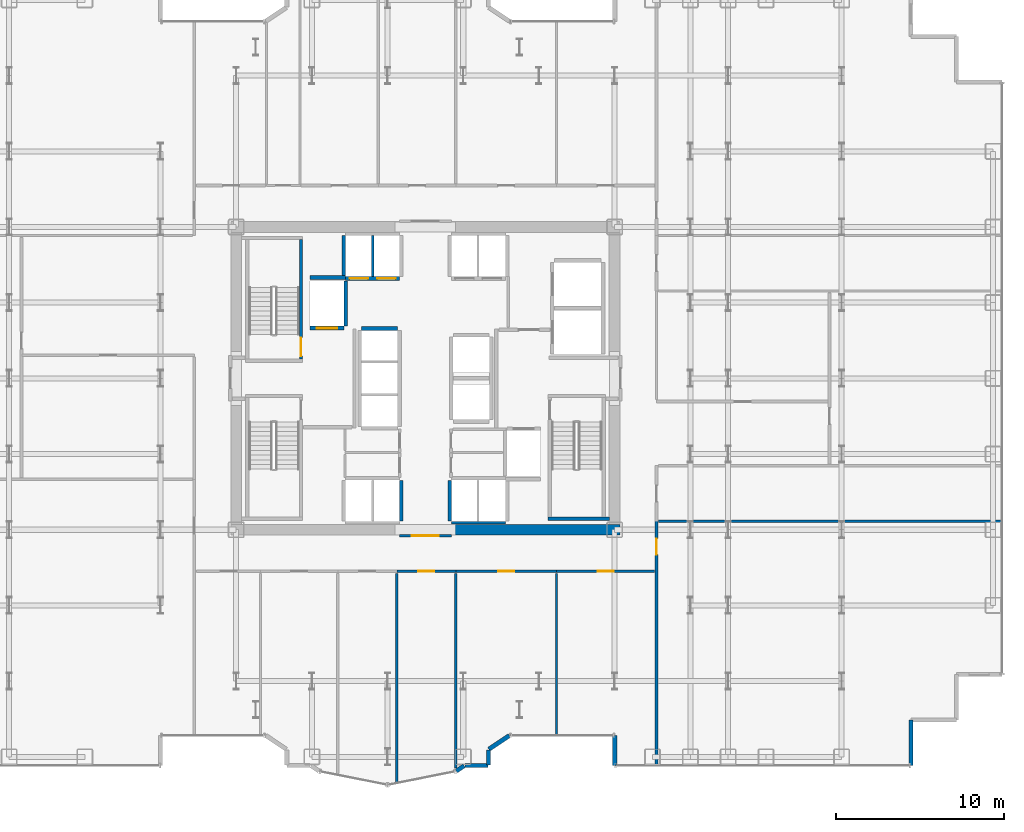
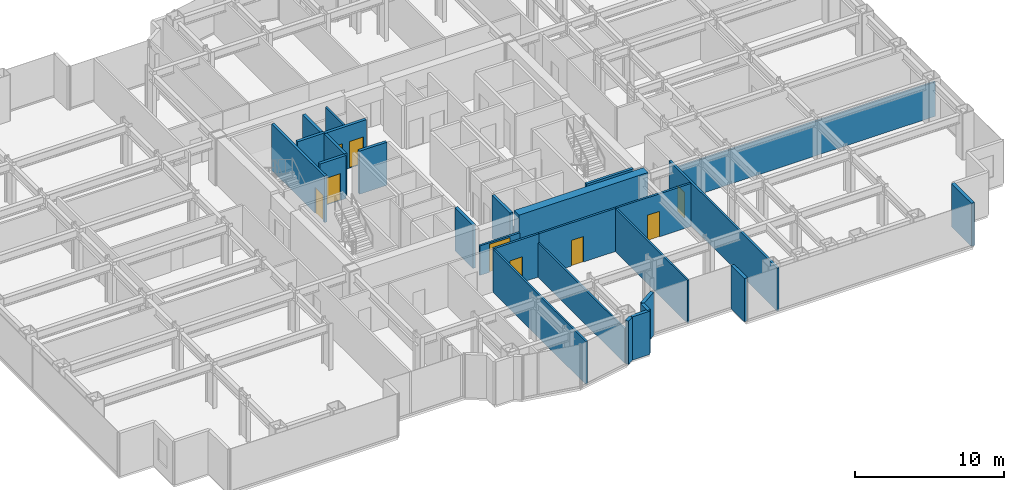
# One storey, part 21 of 26: 28 walls, 9 doors, 9 openings.
"""IFC4 building model written with IfcOpenShell, lengths in metres."""

from ifc_helpers import new_model, si_unit, direction, frame, frame_2d, origin, place, context, subcontext, project, spatial, rectangle, extrude, source, transform, mapped, material, layer, layer_set, type_object, element, fill, save


model = new_model("IFC4")

# Units and contexts
model_context = context("Model", 3, precision=1e-05, world=origin(), true_north=direction((0.0, 1.0)))
body_context = subcontext(model_context, "Body", "Model", "MODEL_VIEW")
ifc_project = project(units=[si_unit("LENGTHUNIT", "METRE"), si_unit("AREAUNIT", "SQUARE_METRE"), si_unit("VOLUMEUNIT", "CUBIC_METRE"), si_unit("PLANEANGLEUNIT", "RADIAN"), si_unit("MASSUNIT", "GRAM", prefix="KILO")], contexts=[model_context])

# Site, building, storey
site_placement = place(None, origin())
site = spatial("IfcSite", under=ifc_project, at=site_placement, CompositionType="ELEMENT")
building_placement = place(site_placement, origin())
building = spatial("IfcBuilding", under=site, at=building_placement, Name="Nefas-Gora Pilgrimage Tower", CompositionType="ELEMENT")
storey_placement = place(building_placement, frame((0.0, 0.0, 59.60009765625)))
storey = spatial("IfcBuildingStorey", under=building, at=storey_placement, Name="L13", CompositionType="ELEMENT", Elevation=59.60009765625)

# Walls
ifc_material_1 = material(Name="Concrete C60/75", Category="concrete")
ifc_layer_1 = layer(ifc_material_1, 0.64990234375)
ifc_layer_set_1 = layer_set([ifc_layer_1], Name="Concrete C60/75")
wall_type_1 = type_object("IfcWallType", Name="SW-CORE-650", PredefinedType="SHEAR", material=ifc_layer_set_1)
shared_shape_1 = source(origin(), body_context, "Body", "SweptSolid", [
    extrude(rectangle(XDim=10.02490234375, YDim=0.64990234375, at=frame_2d((5.012451171875, 0.0))), origin(), (0.0, 0.0, 1.0), 3.7998046875),
])
wall_1_placement = place(storey_placement, frame((1.550048828125, -9.0, 0.0), z_axis=(0.0, 0.0, 1.0), x_axis=(1.0, 0.0, 0.0)))
element("IfcWall", 1, at=wall_1_placement, inside=storey, type_object=wall_type_1, Name="L13 Core Shear Wall S-East", PredefinedType="SHEAR", context=body_context, shape_type="MappedRepresentation", body=[
    mapped(shared_shape_1, transform((0.0, 0.0, 0.0), x_axis=(1.0, 0.0, 0.0), y_axis=(0.0, 1.0, 0.0), z_axis=(0.0, 0.0, 1.0), scale=1.0)),
])
ifc_material_2 = material(Name="Precast concrete C40/50", Category="concrete")
ifc_layer_2 = layer(ifc_material_2, 0.260009765625)
ifc_layer_set_2 = layer_set([ifc_layer_2], Name="Precast concrete C40/50")
wall_type_2 = type_object("IfcWallType", Name="EW-PORTAL-260", PredefinedType="SOLIDWALL", material=ifc_layer_set_2)
shared_shape_2 = source(origin(), body_context, "Body", "SweptSolid", [
    extrude(rectangle(XDim=1.800048828125, YDim=0.260009765625, at=frame_2d((0.89990234375, 0.0))), origin(), (0.0, 0.0, 1.0), 3.5498046875),
])
wall_2_placement = place(storey_placement, frame((11.25, -21.219970703125, 0.0), z_axis=(0.0, 0.0, 1.0), x_axis=(0.0, -1.0, 0.0)))
element("IfcWall", 2, at=wall_2_placement, inside=storey, type_object=wall_type_2, Name="L13 Lobe Shoulder Precast Spandrel Pier 1", PredefinedType="SOLIDWALL", context=body_context, shape_type="MappedRepresentation", body=[
    mapped(shared_shape_2, transform((0.0, 0.0, 0.0), x_axis=(1.0, 0.0, 0.0), y_axis=(0.0, 1.0, 0.0), z_axis=(0.0, 0.0, 1.0), scale=1.0)),
])
ifc_material_3 = material(Name="Precast concrete C45/55", Category="concrete")
ifc_layer_3 = layer(ifc_material_3, 0.239990234375)
ifc_layer_set_3 = layer_set([ifc_layer_3], Name="Precast concrete C45/55")
wall_type_3 = type_object("IfcWallType", Name="EW-SERR-240", PredefinedType="SHEAR", material=ifc_layer_set_3)
shared_shape_3 = source(origin(), body_context, "Body", "SweptSolid", [
    extrude(rectangle(XDim=2.699951171875, YDim=0.239990234375, at=frame_2d((1.35009765625, 0.0))), origin(), (0.0, 0.0, 1.0), 3.5498046875),
])
wall_3_placement = place(storey_placement, frame((28.8701171875, -23.02001953125, 0.0), z_axis=(0.0, 0.0, 1.0), x_axis=(0.0, 1.0, 0.0)))
element("IfcWall", 3, at=wall_3_placement, inside=storey, type_object=wall_type_3, Name="L13 Serrated Corner Shear Pier Wall 2", PredefinedType="SHEAR", context=body_context, shape_type="MappedRepresentation", body=[
    mapped(shared_shape_3, transform((0.0, 0.0, 0.0), x_axis=(1.0, 0.0, 0.0), y_axis=(0.0, 1.0, 0.0), z_axis=(0.0, 0.0, 1.0), scale=1.0)),
])
shared_shape_4 = source(origin(), body_context, "Body", "SweptSolid", [
    extrude(rectangle(XDim=1.468994140625, YDim=0.260009765625, at=frame_2d((0.734375, 0.0))), origin(), (0.0, 0.0, 1.0), 3.5498046875),
])
wall_4_placement = place(storey_placement, frame((3.773193359375, -22.0517578125, 0.0), z_axis=(0.0, 0.0, 1.0), x_axis=(0.831461760506, 0.555581983884, 0.0)))
element("IfcWall", 4, at=wall_4_placement, inside=storey, type_object=wall_type_2, Name="L13 Lobe Shoulder Precast Spandrel Pier 36", PredefinedType="SOLIDWALL", context=body_context, shape_type="MappedRepresentation", body=[
    mapped(shared_shape_4, transform((0.0, 0.0, 0.0), x_axis=(1.0, 0.0, 0.0), y_axis=(0.0, 1.0, 0.0), z_axis=(0.0, 0.0, 1.0), scale=1.0)),
])
shared_shape_5 = source(origin(), body_context, "Body", "SweptSolid", [
    extrude(rectangle(XDim=0.896728515625, YDim=0.260009765625, at=frame_2d((0.4482421875, 0.0))), origin(), (0.0, 0.0, 1.0), 3.5498046875),
])
wall_5_placement = place(storey_placement, frame((3.75, -22.991943359375, 0.0), z_axis=(0.0, 0.0, 1.0), x_axis=(0.0, 1.0, 0.0)))
element("IfcWall", 5, at=wall_5_placement, inside=storey, type_object=wall_type_2, Name="L13 Lobe Shoulder Precast Spandrel Pier 35", PredefinedType="SOLIDWALL", context=body_context, shape_type="MappedRepresentation", body=[
    mapped(shared_shape_5, transform((0.0, 0.0, 0.0), x_axis=(1.0, 0.0, 0.0), y_axis=(0.0, 1.0, 0.0), z_axis=(0.0, 0.0, 1.0), scale=1.0)),
])
shared_shape_6 = source(origin(), body_context, "Body", "SweptSolid", [
    extrude(rectangle(XDim=1.369873046875, YDim=0.260009765625, at=frame_2d((0.68505859375, 0.0))), origin(), (0.0, 0.0, 1.0), 3.5498046875),
])
wall_6_placement = place(storey_placement, frame((2.35205078125, -23.02001953125, 0.0), z_axis=(0.0, 0.0, 1.0), x_axis=(1.0, 0.0, 0.0)))
element("IfcWall", 6, at=wall_6_placement, inside=storey, type_object=wall_type_2, Name="L13 Lobe Shoulder Precast Spandrel Pier 34", PredefinedType="SOLIDWALL", context=body_context, shape_type="MappedRepresentation", body=[
    mapped(shared_shape_6, transform((0.0, 0.0, 0.0), x_axis=(1.0, 0.0, 0.0), y_axis=(0.0, 1.0, 0.0), z_axis=(0.0, 0.0, 1.0), scale=1.0)),
])
shared_shape_7 = source(origin(), body_context, "Body", "SweptSolid", [
    extrude(rectangle(XDim=0.5654296875, YDim=0.260009765625, at=frame_2d((0.28271484375, 0.0))), origin(), (0.0, 0.0, 1.0), 3.5498046875),
])
wall_7_placement = place(storey_placement, frame((1.83056640625, -23.349609375, 0.0), z_axis=(0.0, 0.0, 1.0), x_axis=(0.831651492666, 0.555297933317, 0.0)))
element("IfcWall", 7, at=wall_7_placement, inside=storey, type_object=wall_type_2, Name="L13 Lobe Shoulder Precast Spandrel Pier 33", PredefinedType="SOLIDWALL", context=body_context, shape_type="MappedRepresentation", body=[
    mapped(shared_shape_7, transform((0.0, 0.0, 0.0), x_axis=(1.0, 0.0, 0.0), y_axis=(0.0, 1.0, 0.0), z_axis=(0.0, 0.0, 1.0), scale=1.0)),
])
ifc_material_4 = material(Name="Concrete C45/55", Category="concrete")
ifc_layer_4 = layer(ifc_material_4, 0.199951171875)
ifc_layer_set_4 = layer_set([ifc_layer_4], Name="Concrete C45/55")
wall_type_4 = type_object("IfcWallType", Name="IW-STAIR-200", PredefinedType="SOLIDWALL", material=ifc_layer_set_4)
shared_shape_8 = source(origin(), body_context, "Body", "SweptSolid", [
    extrude(rectangle(XDim=3.6298828125, YDim=0.199951171875, at=frame_2d((1.81494140625, 0.0))), origin(), (0.0, 0.0, 1.0), 3.7998046875),
])
wall_8_placement = place(storey_placement, frame((7.300048828125, -8.35009765625, 0.0), z_axis=(0.0, 0.0, 1.0), x_axis=(1.0, 0.0, 0.0)))
element("IfcWall", 8, at=wall_8_placement, inside=storey, type_object=wall_type_4, Name="L13 Stairwell Shear Wall ST-02-far", PredefinedType="SOLIDWALL", context=body_context, shape_type="MappedRepresentation", body=[
    mapped(shared_shape_8, transform((0.0, 0.0, 0.0), x_axis=(1.0, 0.0, 0.0), y_axis=(0.0, 1.0, 0.0), z_axis=(0.0, 0.0, 1.0), scale=1.0)),
])

# Wall, opening, door
shared_shape_9 = source(origin(), body_context, "Body", "SweptSolid", [
    extrude(rectangle(XDim=7.10009765625, YDim=0.199951171875, at=frame_2d((3.550048828125, 0.0))), origin(), (0.0, 0.0, 1.0), 3.7998046875),
])
wall_9_placement = place(storey_placement, frame((-7.39990234375, 1.14990234375, 0.0), z_axis=(0.0, 0.0, 1.0), x_axis=(0.0, 1.0, 0.0)))
wall_9 = element("IfcWall", 9, at=wall_9_placement, inside=storey, type_object=wall_type_4, Name="L13 Stairwell Shear Wall ST-01-left", PredefinedType="SOLIDWALL", context=body_context, shape_type="MappedRepresentation", body=[
    mapped(shared_shape_9, transform((0.0, 0.0, 0.0), x_axis=(1.0, 0.0, 0.0), y_axis=(0.0, 1.0, 0.0), z_axis=(0.0, 0.0, 1.0), scale=1.0)),
])
opening_1_placement = place(wall_9_placement, frame((0.179931640625, 0.0, 0.0)))
opening_1 = element("IfcOpeningElement", 10, at=opening_1_placement, cuts=wall_9, Name="Opening ID-ST1", PredefinedType="OPENING", context=body_context, shape_type="SweptSolid", body=[
    extrude(rectangle(XDim=1.10009765625, YDim=2.14990234375, at=frame_2d((0.550048828125, 1.074951171875))), frame((0.0, 0.10986328125, 0.0), z_axis=(0.0, -1.0, 0.0), x_axis=(1.0, 0.0, 0.0)), (0.0, 0.0, 1.0), 0.219970703125),
])
ifc_material_5 = material(Name="Painted galvanised steel fire stair door", Category="steel")
door_type_1 = type_object("IfcDoorType", Name="DR-INT-STAIR-1100", OperationType="NOTDEFINED", PredefinedType="DOOR", material=ifc_material_5)
shared_shape_10 = source(origin(), body_context, "Body", "SweptSolid", [
    extrude(rectangle(XDim=1.10009765625, YDim=2.14990234375, at=frame_2d((0.550048828125, 1.074951171875))), frame((0.0, 0.02490234375, 0.0), z_axis=(0.0, -1.0, 0.0), x_axis=(1.0, 0.0, 0.0)), (0.0, 0.0, 1.0), 0.050048828125),
])
door_1_placement = place(opening_1_placement, origin())
door_1 = element("IfcDoor", 11, at=door_1_placement, inside=storey, type_object=door_type_1, Name="L13 Protected Exit Stair Door ST-01", OperationType="SINGLE_SWING_LEFT", OverallHeight=2.14990234375, OverallWidth=1.10009765625, PredefinedType="DOOR", context=body_context, shape_type="MappedRepresentation", body=[
    mapped(shared_shape_10, transform((0.0, 0.0, 0.0), x_axis=(1.0, 0.0, 0.0), y_axis=(0.0, 1.0, 0.0), z_axis=(0.0, 0.0, 1.0), scale=1.0)),
])
fill(opening_1, door_1)

ifc_material_6 = material(Name="Concrete C40/50", Category="concrete")
ifc_layer_5 = layer(ifc_material_6, 0.219970703125)
ifc_layer_set_5 = layer_set([ifc_layer_5], Name="Concrete C40/50")
wall_type_5 = type_object("IfcWallType", Name="IW-SHAFT-220", PredefinedType="SOLIDWALL", material=ifc_layer_set_5)
shared_shape_11 = source(origin(), body_context, "Body", "SweptSolid", [
    extrude(rectangle(XDim=2.0, YDim=0.219970703125, at=frame_2d((1.0, 0.0))), origin(), (0.0, 0.0, 1.0), 3.534912109375),
])
wall_10_placement = place(storey_placement, frame((-6.85009765625, 2.989990234375, 0.0), z_axis=(0.0, 0.0, 1.0), x_axis=(1.0, 0.0, 0.0)))
wall_10 = element("IfcWall", 12, at=wall_10_placement, inside=storey, type_object=wall_type_5, Name="L13 Hoistway Wall FFL-01-S", PredefinedType="SOLIDWALL", context=body_context, shape_type="MappedRepresentation", body=[
    mapped(shared_shape_11, transform((0.0, 0.0, 0.0), x_axis=(1.0, 0.0, 0.0), y_axis=(0.0, 1.0, 0.0), z_axis=(0.0, 0.0, 1.0), scale=1.0)),
])
opening_2_placement = place(wall_10_placement, frame((0.39990234375, 0.0, 0.0)))
opening_2 = element("IfcOpeningElement", 13, at=opening_2_placement, cuts=wall_10, Name="Opening LD-FF", PredefinedType="OPENING", context=body_context, shape_type="SweptSolid", body=[
    extrude(rectangle(XDim=1.199951171875, YDim=2.199951171875, at=frame_2d((0.60009765625, 1.10009765625))), frame((0.0, 0.119873046875, 0.0), z_axis=(0.0, -1.0, 0.0), x_axis=(1.0, 0.0, 0.0)), (0.0, 0.0, 1.0), 0.239990234375),
])
ifc_material_7 = material(Name="Fire-service sliding lift landing door")
door_type_2 = type_object("IfcDoorType", Name="DR-LIFT-FSAE-1200", OperationType="SLIDING_TO_LEFT", PredefinedType="DOOR", material=ifc_material_7)
shared_shape_12 = source(origin(), body_context, "Body", "SweptSolid", [
    extrude(rectangle(XDim=1.199951171875, YDim=2.199951171875, at=frame_2d((0.60009765625, 1.10009765625))), frame((0.0, 0.02490234375, 0.0), z_axis=(0.0, -1.0, 0.0), x_axis=(1.0, 0.0, 0.0)), (0.0, 0.0, 1.0), 0.050048828125),
])
door_2_placement = place(opening_2_placement, origin())
door_2 = element("IfcDoor", 14, at=door_2_placement, inside=storey, type_object=door_type_2, Name="L13 Sliding Lift Landing Door FFL-01", OperationType="SLIDING_TO_LEFT", OverallHeight=2.199951171875, OverallWidth=1.199951171875, PredefinedType="DOOR", context=body_context, shape_type="MappedRepresentation", body=[
    mapped(shared_shape_12, transform((0.0, 0.0, 0.0), x_axis=(1.0, 0.0, 0.0), y_axis=(0.0, 1.0, 0.0), z_axis=(0.0, 0.0, 1.0), scale=1.0)),
])
fill(opening_2, door_2)

# Wall
shared_shape_13 = source(origin(), body_context, "Body", "SweptSolid", [
    extrude(rectangle(XDim=2.679931640625, YDim=0.219970703125, at=frame_2d((1.33984375, 0.0))), origin(), (0.0, 0.0, 1.0), 3.534912109375),
])
wall_11_placement = place(storey_placement, frame((-4.739990234375, 3.110107421875, 0.0), z_axis=(0.0, 0.0, 1.0), x_axis=(0.0, 1.0, 0.0)))
element("IfcWall", 15, at=wall_11_placement, inside=storey, type_object=wall_type_5, Name="L13 Hoistway Wall FFL-01-E", PredefinedType="SOLIDWALL", context=body_context, shape_type="MappedRepresentation", body=[
    mapped(shared_shape_13, transform((0.0, 0.0, 0.0), x_axis=(1.0, 0.0, 0.0), y_axis=(0.0, 1.0, 0.0), z_axis=(0.0, 0.0, 1.0), scale=1.0)),
])

# Wall, openings, doors
shared_shape_14 = source(origin(), body_context, "Body", "SweptSolid", [
    extrude(rectangle(XDim=3.199951171875, YDim=0.219970703125, at=frame_2d((1.60009765625, 0.0))), origin(), (0.0, 0.0, 1.0), 3.534912109375),
])
wall_12_placement = place(storey_placement, frame((-4.75, 5.93994140625, 0.0), z_axis=(0.0, 0.0, 1.0), x_axis=(1.0, 0.0, 0.0)))
wall_12 = element("IfcWall", 16, at=wall_12_placement, inside=storey, type_object=wall_type_5, Name="L13 Hoistway Wall PL1-W-S", PredefinedType="SOLIDWALL", context=body_context, shape_type="MappedRepresentation", body=[
    mapped(shared_shape_14, transform((0.0, 0.0, 0.0), x_axis=(1.0, 0.0, 0.0), y_axis=(0.0, 1.0, 0.0), z_axis=(0.0, 0.0, 1.0), scale=1.0)),
])
opening_3_placement = place(wall_12_placement, frame((0.25, 0.0, 0.0)))
opening_3 = element("IfcOpeningElement", 17, at=opening_3_placement, cuts=wall_12, Name="Opening LD-01", PredefinedType="OPENING", context=body_context, shape_type="SweptSolid", body=[
    extrude(rectangle(XDim=1.10009765625, YDim=2.199951171875, at=frame_2d((0.550048828125, 1.10009765625))), frame((0.0, 0.119873046875, 0.0), z_axis=(0.0, -1.0, 0.0), x_axis=(1.0, 0.0, 0.0)), (0.0, 0.0, 1.0), 0.239990234375),
])
opening_4_placement = place(wall_12_placement, frame((1.875, 0.0, 0.0)))
opening_4 = element("IfcOpeningElement", 18, at=opening_4_placement, cuts=wall_12, Name="Opening LD-01", PredefinedType="OPENING", context=body_context, shape_type="SweptSolid", body=[
    extrude(rectangle(XDim=1.10009765625, YDim=2.199951171875, at=frame_2d((0.550048828125, 1.10009765625))), frame((0.0, 0.119873046875, 0.0), z_axis=(0.0, -1.0, 0.0), x_axis=(1.0, 0.0, 0.0)), (0.0, 0.0, 1.0), 0.239990234375),
])
ifc_material_8 = material(Name="Brushed stainless sliding lift landing door")
door_type_3 = type_object("IfcDoorType", Name="DR-LIFT-PASS-1100", OperationType="DOUBLE_DOOR_SLIDING", PredefinedType="DOOR", material=ifc_material_8)
shared_shape_15 = source(origin(), body_context, "Body", "SweptSolid", [
    extrude(rectangle(XDim=1.10009765625, YDim=2.199951171875, at=frame_2d((0.550048828125, 1.10009765625))), frame((0.0, 0.02490234375, 0.0), z_axis=(0.0, -1.0, 0.0), x_axis=(1.0, 0.0, 0.0)), (0.0, 0.0, 1.0), 0.050048828125),
])
door_3_placement = place(opening_3_placement, origin())
door_3 = element("IfcDoor", 19, at=door_3_placement, inside=storey, type_object=door_type_3, Name="L13 Sliding Lift Landing Door PL1-01", OperationType="DOUBLE_DOOR_SLIDING", OverallHeight=2.199951171875, OverallWidth=1.10009765625, PredefinedType="DOOR", context=body_context, shape_type="MappedRepresentation", body=[
    mapped(shared_shape_15, transform((0.0, 0.0, 0.0), x_axis=(1.0, 0.0, 0.0), y_axis=(0.0, 1.0, 0.0), z_axis=(0.0, 0.0, 1.0), scale=1.0)),
])
fill(opening_3, door_3)
door_4_placement = place(opening_4_placement, origin())
door_4 = element("IfcDoor", 20, at=door_4_placement, inside=storey, type_object=door_type_3, Name="L13 Sliding Lift Landing Door PL1-02", OperationType="DOUBLE_DOOR_SLIDING", OverallHeight=2.199951171875, OverallWidth=1.10009765625, PredefinedType="DOOR", context=body_context, shape_type="MappedRepresentation", body=[
    mapped(shared_shape_15, transform((0.0, 0.0, 0.0), x_axis=(1.0, 0.0, 0.0), y_axis=(0.0, 1.0, 0.0), z_axis=(0.0, 0.0, 1.0), scale=1.0)),
])
fill(opening_4, door_4)

# Walls
shared_shape_16 = source(origin(), body_context, "Body", "SweptSolid", [
    extrude(rectangle(XDim=2.429931640625, YDim=0.219970703125, at=frame_2d((1.21484375, 0.0))), origin(), (0.0, 0.0, 1.0), 3.534912109375),
])
for number, where, z_axis, x_axis, name in (
    (21, (-4.860107421875, 8.489990234375, 0.0), (0.0, 0.0, 1.0), (0.0, -1.0, 0.0), "L13 Hoistway Wall PL1-W-W"),
    (22, (-1.43994140625, -8.489990234375, 0.0), (0.0, 0.0, 1.0), (0.0, 1.0, 0.0), "L13 Hoistway Wall PL2-W-E"),
    (23, (1.43994140625, -6.06005859375, 0.0), (0.0, 0.0, 1.0), (0.0, -1.0, 0.0), "L13 Hoistway Wall PL2-E-W"),
):
    element("IfcWall", number, at=place(storey_placement, frame(where, z_axis=z_axis, x_axis=x_axis)), inside=storey, type_object=wall_type_5, Name=name, PredefinedType="SOLIDWALL", context=body_context, shape_type="MappedRepresentation", body=[
        mapped(shared_shape_16, transform((0.0, 0.0, 0.0), x_axis=(1.0, 0.0, 0.0), y_axis=(0.0, 1.0, 0.0), z_axis=(0.0, 0.0, 1.0), scale=1.0)),
    ])
ifc_material_9 = material(Name="Gypsum twin-stud partition")
ifc_layer_6 = layer(ifc_material_9, 0.139892578125)
ifc_layer_set_6 = layer_set([ifc_layer_6], Name="Gypsum twin-stud partition")
wall_type_6 = type_object("IfcWallType", Name="IW-UNIT-140", PredefinedType="PARTITIONING", material=ifc_layer_set_6)
shared_shape_17 = source(origin(), body_context, "Body", "SweptSolid", [
    extrude(rectangle(XDim=2.429931640625, YDim=0.139892578125, at=frame_2d((1.21484375, 0.0))), origin(), (0.0, 0.0, 1.0), 3.534912109375),
])
wall_13_placement = place(storey_placement, frame((-3.125, 6.06005859375, 0.0), z_axis=(0.0, 0.0, 1.0), x_axis=(0.0, 1.0, 0.0)))
element("IfcWall", 24, at=wall_13_placement, inside=storey, type_object=wall_type_6, Name="L13 Hoistway Wall PL1-W-DIV", PredefinedType="PARTITIONING", context=body_context, shape_type="MappedRepresentation", body=[
    mapped(shared_shape_17, transform((0.0, 0.0, 0.0), x_axis=(1.0, 0.0, 0.0), y_axis=(0.0, 1.0, 0.0), z_axis=(0.0, 0.0, 1.0), scale=1.0)),
])
shared_shape_18 = source(origin(), body_context, "Body", "SweptSolid", [
    extrude(rectangle(XDim=2.130126953125, YDim=0.219970703125, at=frame_2d((1.06494140625, 0.0))), origin(), (0.0, 0.0, 1.0), 3.534912109375),
])
wall_14_placement = place(storey_placement, frame((-1.659912109375, 2.9599609375, 0.0), z_axis=(0.0, 0.0, 1.0), x_axis=(-1.0, 0.0, 0.0)))
element("IfcWall", 25, at=wall_14_placement, inside=storey, type_object=wall_type_5, Name="L13 Hoistway Wall PL3-03-N", PredefinedType="SOLIDWALL", context=body_context, shape_type="MappedRepresentation", body=[
    mapped(shared_shape_18, transform((0.0, 0.0, 0.0), x_axis=(1.0, 0.0, 0.0), y_axis=(0.0, 1.0, 0.0), z_axis=(0.0, 0.0, 1.0), scale=1.0)),
])
ifc_material_10 = material(Name="Gypsum acoustic stud partition")
ifc_layer_7 = layer(ifc_material_10, 0.159912109375)
ifc_layer_set_7 = layer_set([ifc_layer_7], Name="Gypsum acoustic stud partition")
wall_type_7 = type_object("IfcWallType", Name="IW-CORR-160", PredefinedType="PARTITIONING", material=ifc_layer_set_7)
shared_shape_19 = source(origin(), body_context, "Body", "SweptSolid", [
    extrude(rectangle(XDim=3.199951171875, YDim=0.159912109375, at=frame_2d((1.60009765625, 0.0))), origin(), (0.0, 0.0, 1.0), 2.4248046875),
])
wall_15_placement = place(storey_placement, frame((1.550048828125, -8.580078125, 0.0), z_axis=(0.0, 0.0, 1.0), x_axis=(1.0, 0.0, 0.0)))
element("IfcWall", 26, at=wall_15_placement, inside=storey, type_object=wall_type_7, Name="L13 Hoistway Wall PL2-E-S", PredefinedType="PARTITIONING", context=body_context, shape_type="MappedRepresentation", body=[
    mapped(shared_shape_19, transform((0.0, 0.0, 0.0), x_axis=(1.0, 0.0, 0.0), y_axis=(0.0, 1.0, 0.0), z_axis=(0.0, 0.0, 1.0), scale=1.0)),
])
shared_shape_20 = source(origin(), body_context, "Body", "SweptSolid", [
    extrude(rectangle(XDim=2.09521484375, YDim=0.219970703125, at=frame_2d((1.047607421875, 0.0))), origin(), (0.0, 0.0, 1.0), 3.534912109375),
])
wall_16_placement = place(storey_placement, frame((-6.85009765625, 6.0, 0.0), z_axis=(0.0, 0.0, 1.0), x_axis=(1.0, 0.0, 0.0)))
element("IfcWall", 27, at=wall_16_placement, inside=storey, type_object=wall_type_5, Name="L13 Riser Shaft Wall 1", PredefinedType="SOLIDWALL", context=body_context, shape_type="MappedRepresentation", body=[
    mapped(shared_shape_20, transform((0.0, 0.0, 0.0), x_axis=(1.0, 0.0, 0.0), y_axis=(0.0, 1.0, 0.0), z_axis=(0.0, 0.0, 1.0), scale=1.0)),
])

# Wall, opening, door
shared_shape_21 = source(origin(), body_context, "Body", "SweptSolid", [
    extrude(rectangle(XDim=14.544921875, YDim=0.159912109375, at=frame_2d((7.2724609375, 0.0))), origin(), (0.0, 0.0, 1.0), 3.534912109375),
])
wall_17_placement = place(storey_placement, frame((13.739990234375, -23.0400390625, 0.0), z_axis=(0.0, 0.0, 1.0), x_axis=(0.0, 1.0, 0.0)))
wall_17 = element("IfcWall", 28, at=wall_17_placement, inside=storey, type_object=wall_type_7, Name="L13 Pilgrim Fellowship Seminar Room Partition Wall 35", PredefinedType="PARTITIONING", context=body_context, shape_type="MappedRepresentation", body=[
    mapped(shared_shape_21, transform((0.0, 0.0, 0.0), x_axis=(1.0, 0.0, 0.0), y_axis=(0.0, 1.0, 0.0), z_axis=(0.0, 0.0, 1.0), scale=1.0)),
])
opening_5_placement = place(wall_17_placement, frame((12.5625, 0.0, 0.0)))
opening_5 = element("IfcOpeningElement", 29, at=opening_5_placement, cuts=wall_17, Name="Opening ID-GR1", PredefinedType="OPENING", context=body_context, shape_type="SweptSolid", body=[
    extrude(rectangle(XDim=0.949951171875, YDim=2.10009765625, at=frame_2d((0.47509765625, 1.050048828125))), frame((0.0, 0.08984375, 0.0), z_axis=(0.0, -1.0, 0.0), x_axis=(1.0, 0.0, 0.0)), (0.0, 0.0, 1.0), 0.179931640625),
])
ifc_material_11 = material(Name="Solid core oak fire-rated guest entrance door")
door_type_4 = type_object("IfcDoorType", Name="DR-INT-GUEST-950", OperationType="NOTDEFINED", PredefinedType="DOOR", material=ifc_material_11)
shared_shape_22 = source(origin(), body_context, "Body", "SweptSolid", [
    extrude(rectangle(XDim=0.949951171875, YDim=2.10009765625, at=frame_2d((0.47509765625, 1.050048828125))), frame((0.0, 0.02490234375, 0.0), z_axis=(0.0, -1.0, 0.0), x_axis=(1.0, 0.0, 0.0)), (0.0, 0.0, 1.0), 0.050048828125),
])
door_5_placement = place(opening_5_placement, origin())
door_5 = element("IfcDoor", 30, at=door_5_placement, inside=storey, type_object=door_type_4, Name="L13 Pilgrim Fellowship Seminar Room Door 15", OperationType="SINGLE_SWING_LEFT", OverallHeight=2.10009765625, OverallWidth=0.949951171875, PredefinedType="DOOR", context=body_context, shape_type="MappedRepresentation", body=[
    mapped(shared_shape_22, transform((0.0, 0.0, 0.0), x_axis=(1.0, 0.0, 0.0), y_axis=(0.0, 1.0, 0.0), z_axis=(0.0, 0.0, 1.0), scale=1.0)),
])
fill(opening_5, door_5)

# Walls
shared_shape_23 = source(origin(), body_context, "Body", "SweptSolid", [
    extrude(rectangle(XDim=9.64990234375, YDim=0.139892578125, at=frame_2d((4.824951171875, 0.0))), origin(), (0.0, 0.0, 1.0), 3.534912109375),
])
wall_18_placement = place(storey_placement, frame((7.794921875, -21.239990234375, 0.0), z_axis=(0.0, 0.0, 1.0), x_axis=(0.0, 1.0, 0.0)))
element("IfcWall", 31, at=wall_18_placement, inside=storey, type_object=wall_type_6, Name="L13 Pilgrim Contemplative Lounge Partition Wall 63", PredefinedType="PARTITIONING", context=body_context, shape_type="MappedRepresentation", body=[
    mapped(shared_shape_23, transform((0.0, 0.0, 0.0), x_axis=(1.0, 0.0, 0.0), y_axis=(0.0, 1.0, 0.0), z_axis=(0.0, 0.0, 1.0), scale=1.0)),
])
shared_shape_24 = source(origin(), body_context, "Body", "SweptSolid", [
    extrude(rectangle(XDim=20.429931640625, YDim=0.139892578125, at=frame_2d((10.21484375, 0.0))), origin(), (0.0, 0.0, 1.0), 2.824951171875),
])
wall_19_placement = place(storey_placement, frame((13.860107421875, -8.5048828125, 0.0), z_axis=(0.0, 0.0, 1.0), x_axis=(1.0, 0.0, 0.0)))
element("IfcWall", 32, at=wall_19_placement, inside=storey, type_object=wall_type_6, Name="L13 Pilgrim Fellowship Seminar Room Partition Wall 36", PredefinedType="PARTITIONING", context=body_context, shape_type="MappedRepresentation", body=[
    mapped(shared_shape_24, transform((0.0, 0.0, 0.0), x_axis=(1.0, 0.0, 0.0), y_axis=(0.0, 1.0, 0.0), z_axis=(0.0, 0.0, 1.0), scale=1.0)),
])

# Wall, opening, door
shared_shape_25 = source(origin(), body_context, "Body", "SweptSolid", [
    extrude(rectangle(XDim=3.08984375, YDim=0.159912109375, at=frame_2d((1.544921875, 0.0))), origin(), (0.0, 0.0, 1.0), 2.4248046875),
])
wall_20_placement = place(storey_placement, frame((-1.544921875, -9.35009765625, 0.0), z_axis=(0.0, 0.0, 1.0), x_axis=(1.0, 0.0, 0.0)))
wall_20 = element("IfcWall", 33, at=wall_20_placement, inside=storey, type_object=wall_type_7, Name="L13 Central Lift Lobby South Portal Wall 14", PredefinedType="PARTITIONING", context=body_context, shape_type="MappedRepresentation", body=[
    mapped(shared_shape_25, transform((0.0, 0.0, 0.0), x_axis=(1.0, 0.0, 0.0), y_axis=(0.0, 1.0, 0.0), z_axis=(0.0, 0.0, 1.0), scale=1.0)),
])
opening_6_placement = place(wall_20_placement, frame((0.7451171875, 0.0, 0.0)))
opening_6 = element("IfcOpeningElement", 34, at=opening_6_placement, cuts=wall_20, Name="Opening ID-HL1", PredefinedType="OPENING", context=body_context, shape_type="SweptSolid", body=[
    extrude(rectangle(XDim=1.60009765625, YDim=2.300048828125, at=frame_2d((0.800048828125, 1.14990234375))), frame((0.0, 0.08984375, 0.0), z_axis=(0.0, -1.0, 0.0), x_axis=(1.0, 0.0, 0.0)), (0.0, 0.0, 1.0), 0.179931640625),
])
ifc_material_12 = material(Name="Double acoustic timber assembly hall door", Category="wood")
door_type_5 = type_object("IfcDoorType", Name="DR-INT-HALL-1600", OperationType="DOUBLE_DOOR_SINGLE_SWING", PredefinedType="DOOR", material=ifc_material_12)
shared_shape_26 = source(origin(), body_context, "Body", "SweptSolid", [
    extrude(rectangle(XDim=1.60009765625, YDim=2.300048828125, at=frame_2d((0.800048828125, 1.14990234375))), frame((0.0, 0.02490234375, 0.0), z_axis=(0.0, -1.0, 0.0), x_axis=(1.0, 0.0, 0.0)), (0.0, 0.0, 1.0), 0.050048828125),
])
door_6_placement = place(opening_6_placement, origin())
door_6 = element("IfcDoor", 35, at=door_6_placement, inside=storey, type_object=door_type_5, Name="L13 Central Lift Lobby South Portal Door 5", OperationType="DOUBLE_DOOR_SINGLE_SWING", OverallHeight=2.300048828125, OverallWidth=1.60009765625, PredefinedType="DOOR", context=body_context, shape_type="MappedRepresentation", body=[
    mapped(shared_shape_26, transform((0.0, 0.0, 0.0), x_axis=(1.0, 0.0, 0.0), y_axis=(0.0, 1.0, 0.0), z_axis=(0.0, 0.0, 1.0), scale=1.0)),
])
fill(opening_6, door_6)

# Walls
shared_shape_27 = source(origin(), body_context, "Body", "SweptSolid", [
    extrude(rectangle(XDim=12.4951171875, YDim=0.139892578125, at=frame_2d((6.24755859375, 0.0))), origin(), (0.0, 0.0, 1.0), 3.534912109375),
])
wall_21_placement = place(storey_placement, frame((-1.7099609375, -24.085205078125, 0.0), z_axis=(0.0, 0.0, 1.0), x_axis=(0.0, 1.0, 0.0)))
element("IfcWall", 36, at=wall_21_placement, inside=storey, type_object=wall_type_6, Name="L13 Pilgrim Contemplative Lounge Partition Wall 59", PredefinedType="PARTITIONING", context=body_context, shape_type="MappedRepresentation", body=[
    mapped(shared_shape_27, transform((0.0, 0.0, 0.0), x_axis=(1.0, 0.0, 0.0), y_axis=(0.0, 1.0, 0.0), z_axis=(0.0, 0.0, 1.0), scale=1.0)),
])
shared_shape_28 = source(origin(), body_context, "Body", "SweptSolid", [
    extrude(rectangle(XDim=11.581298828125, YDim=0.139892578125, at=frame_2d((5.79052734375, 0.0))), origin(), (0.0, 0.0, 1.0), 2.824951171875),
])
wall_22_placement = place(storey_placement, frame((1.794921875, -23.17138671875, 0.0), z_axis=(0.0, 0.0, 1.0), x_axis=(0.0, 1.0, 0.0)))
element("IfcWall", 37, at=wall_22_placement, inside=storey, type_object=wall_type_6, Name="L13 Pastoral Chaplains Counselling Office Partition Wall 61", PredefinedType="PARTITIONING", context=body_context, shape_type="MappedRepresentation", body=[
    mapped(shared_shape_28, transform((0.0, 0.0, 0.0), x_axis=(1.0, 0.0, 0.0), y_axis=(0.0, 1.0, 0.0), z_axis=(0.0, 0.0, 1.0), scale=1.0)),
])

# Wall, opening, door
shared_shape_29 = source(origin(), body_context, "Body", "SweptSolid", [
    extrude(rectangle(XDim=6.010009765625, YDim=0.159912109375, at=frame_2d((3.0048828125, 0.0))), origin(), (0.0, 0.0, 1.0), 3.534912109375),
])
wall_23_placement = place(storey_placement, frame((1.794921875, -11.469970703125, 0.0), z_axis=(0.0, 0.0, 1.0), x_axis=(1.0, 0.0, 0.0)))
wall_23 = element("IfcWall", 38, at=wall_23_placement, inside=storey, type_object=wall_type_7, Name="L13 Pilgrim Contemplative Lounge Partition Wall 62", PredefinedType="PARTITIONING", context=body_context, shape_type="MappedRepresentation", body=[
    mapped(shared_shape_29, transform((0.0, 0.0, 0.0), x_axis=(1.0, 0.0, 0.0), y_axis=(0.0, 1.0, 0.0), z_axis=(0.0, 0.0, 1.0), scale=1.0)),
])
opening_7_placement = place(wall_23_placement, frame((2.530029296875, 0.0, 0.0)))
opening_7 = element("IfcOpeningElement", 39, at=opening_7_placement, cuts=wall_23, Name="Opening ID-GR1", PredefinedType="OPENING", context=body_context, shape_type="SweptSolid", body=[
    extrude(rectangle(XDim=0.949951171875, YDim=2.10009765625, at=frame_2d((0.47509765625, 1.050048828125))), frame((0.0, 0.08984375, 0.0), z_axis=(0.0, -1.0, 0.0), x_axis=(1.0, 0.0, 0.0)), (0.0, 0.0, 1.0), 0.179931640625),
])
door_7_placement = place(opening_7_placement, origin())
door_7 = element("IfcDoor", 40, at=door_7_placement, inside=storey, type_object=door_type_4, Name="L13 Pilgrim Contemplative Lounge Door 30", OperationType="SINGLE_SWING_RIGHT", OverallHeight=2.10009765625, OverallWidth=0.949951171875, PredefinedType="DOOR", context=body_context, shape_type="MappedRepresentation", body=[
    mapped(shared_shape_22, transform((0.0, 0.0, 0.0), x_axis=(1.0, 0.0, 0.0), y_axis=(0.0, 1.0, 0.0), z_axis=(0.0, 0.0, 1.0), scale=1.0)),
])
fill(opening_7, door_7)

shared_shape_30 = source(origin(), body_context, "Body", "SweptSolid", [
    extrude(rectangle(XDim=5.8251953125, YDim=0.159912109375, at=frame_2d((2.91259765625, 0.0))), origin(), (0.0, 0.0, 1.0), 3.534912109375),
])
wall_24_placement = place(storey_placement, frame((7.794921875, -11.469970703125, 0.0), z_axis=(0.0, 0.0, 1.0), x_axis=(1.0, 0.0, 0.0)))
wall_24 = element("IfcWall", 41, at=wall_24_placement, inside=storey, type_object=wall_type_7, Name="L13 Pilgrim Contemplative Lounge Partition Wall 64", PredefinedType="PARTITIONING", context=body_context, shape_type="MappedRepresentation", body=[
    mapped(shared_shape_30, transform((0.0, 0.0, 0.0), x_axis=(1.0, 0.0, 0.0), y_axis=(0.0, 1.0, 0.0), z_axis=(0.0, 0.0, 1.0), scale=1.0)),
])
opening_8_placement = place(wall_24_placement, frame((2.4375, 0.0, 0.0)))
opening_8 = element("IfcOpeningElement", 42, at=opening_8_placement, cuts=wall_24, Name="Opening ID-GR1", PredefinedType="OPENING", context=body_context, shape_type="SweptSolid", body=[
    extrude(rectangle(XDim=0.949951171875, YDim=2.10009765625, at=frame_2d((0.47509765625, 1.050048828125))), frame((0.0, 0.08984375, 0.0), z_axis=(0.0, -1.0, 0.0), x_axis=(1.0, 0.0, 0.0)), (0.0, 0.0, 1.0), 0.179931640625),
])
door_8_placement = place(opening_8_placement, origin())
door_8 = element("IfcDoor", 43, at=door_8_placement, inside=storey, type_object=door_type_4, Name="L13 Pilgrim Contemplative Lounge Door 31", OperationType="SINGLE_SWING_LEFT", OverallHeight=2.10009765625, OverallWidth=0.949951171875, PredefinedType="DOOR", context=body_context, shape_type="MappedRepresentation", body=[
    mapped(shared_shape_22, transform((0.0, 0.0, 0.0), x_axis=(1.0, 0.0, 0.0), y_axis=(0.0, 1.0, 0.0), z_axis=(0.0, 0.0, 1.0), scale=1.0)),
])
fill(opening_8, door_8)

shared_shape_31 = source(origin(), body_context, "Body", "SweptSolid", [
    extrude(rectangle(XDim=3.5048828125, YDim=0.159912109375, at=frame_2d((1.75244140625, 0.0))), origin(), (0.0, 0.0, 1.0), 3.534912109375),
])
wall_25_placement = place(storey_placement, frame((-1.699951171875, -11.469970703125, 0.0), z_axis=(0.0, 0.0, 1.0), x_axis=(1.0, 0.0, 0.0)))
wall_25 = element("IfcWall", 44, at=wall_25_placement, inside=storey, type_object=wall_type_7, Name="L13 Pastoral Chaplains Counselling Office Partition Wall 60", PredefinedType="PARTITIONING", context=body_context, shape_type="MappedRepresentation", body=[
    mapped(shared_shape_31, transform((0.0, 0.0, 0.0), x_axis=(1.0, 0.0, 0.0), y_axis=(0.0, 1.0, 0.0), z_axis=(0.0, 0.0, 1.0), scale=1.0)),
])
opening_9_placement = place(wall_25_placement, frame((1.277587890625, 0.0, 0.0)))
opening_9 = element("IfcOpeningElement", 45, at=opening_9_placement, cuts=wall_25, Name="Opening ID-GR1", PredefinedType="OPENING", context=body_context, shape_type="SweptSolid", body=[
    extrude(rectangle(XDim=0.949951171875, YDim=2.10009765625, at=frame_2d((0.47509765625, 1.050048828125))), frame((0.0, 0.08984375, 0.0), z_axis=(0.0, -1.0, 0.0), x_axis=(1.0, 0.0, 0.0)), (0.0, 0.0, 1.0), 0.179931640625),
])
door_9_placement = place(opening_9_placement, origin())
door_9 = element("IfcDoor", 46, at=door_9_placement, inside=storey, type_object=door_type_4, Name="L13 Pastoral Chaplains Counselling Office Door 29", OperationType="SINGLE_SWING_LEFT", OverallHeight=2.10009765625, OverallWidth=0.949951171875, PredefinedType="DOOR", context=body_context, shape_type="MappedRepresentation", body=[
    mapped(shared_shape_22, transform((0.0, 0.0, 0.0), x_axis=(1.0, 0.0, 0.0), y_axis=(0.0, 1.0, 0.0), z_axis=(0.0, 0.0, 1.0), scale=1.0)),
])
fill(opening_9, door_9)

save(model, "model.ifc")
